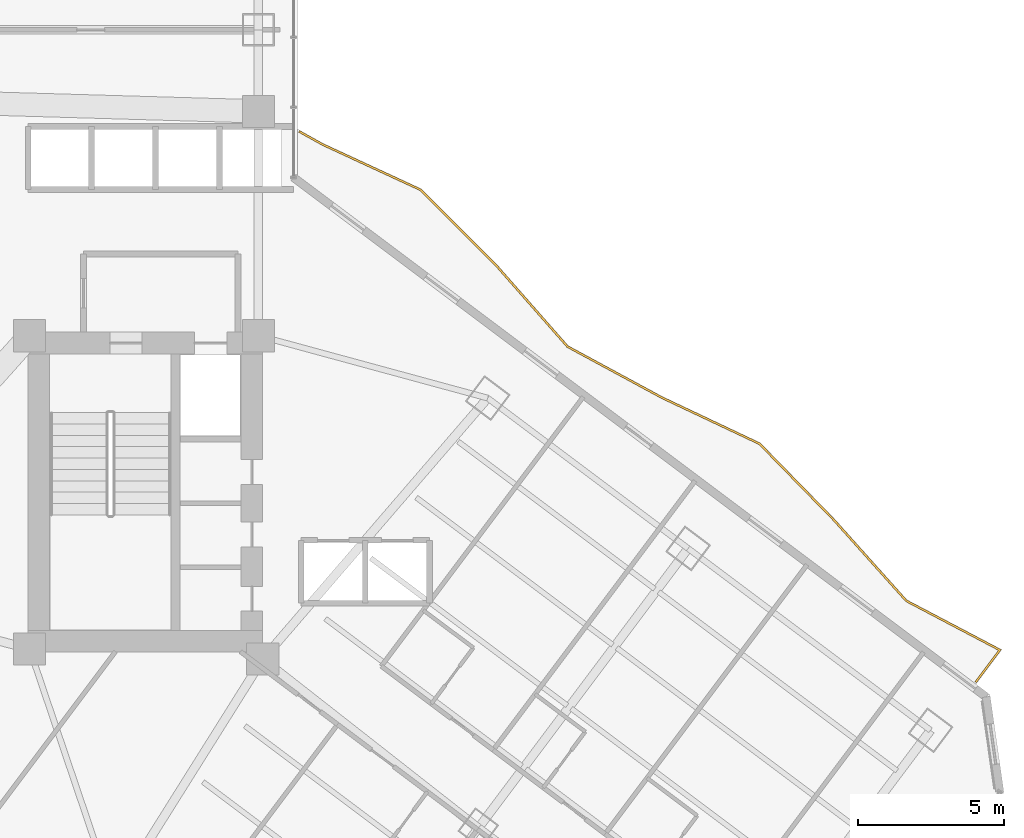
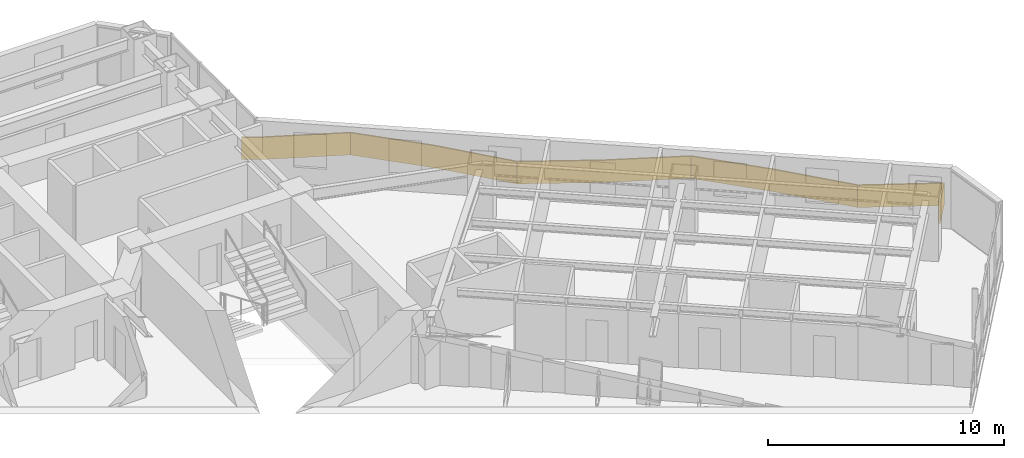
# One storey, part 34 of 37: 1 railing.
"""IFC4 building model written with IfcOpenShell, lengths in metres."""

from ifc_helpers import new_model, si_unit, direction, frame, origin, place, context, subcontext, project, spatial, polyline, outline, extrude, material, layer, layer_set, type_object, element, save


model = new_model("IFC4")

# Units and contexts
model_context = context("Model", 3, precision=1e-05, world=origin(), true_north=direction((0.0, 1.0)))
body_context = subcontext(model_context, "Body", "Model", "MODEL_VIEW")
ifc_project = project(units=[si_unit("LENGTHUNIT", "METRE"), si_unit("AREAUNIT", "SQUARE_METRE"), si_unit("VOLUMEUNIT", "CUBIC_METRE"), si_unit("PLANEANGLEUNIT", "RADIAN"), si_unit("MASSUNIT", "GRAM", prefix="KILO")], contexts=[model_context])

# Site, building, storey
site_placement = place(None, origin())
site = spatial("IfcSite", under=ifc_project, at=site_placement, CompositionType="ELEMENT")
building_placement = place(site_placement, origin())
building = spatial("IfcBuilding", under=site, at=building_placement, Name="Hatsunagi Terrace Concourse", CompositionType="ELEMENT")
storey_placement = place(building_placement, frame((0.0, 0.0, 50.0)))
storey = spatial("IfcBuildingStorey", under=building, at=storey_placement, Name="L12", CompositionType="ELEMENT", Elevation=50.0)

# Railing
ifc_material = material(Name="Laminated Glass and Stainless Steel Guard", Category="steel")
ifc_layer = layer(ifc_material, 0.070068359375)
ifc_layer_set = layer_set([ifc_layer], Name="BalconyGlassGuardRail_1150")
railing_type = type_object("IfcRailingType", Name="BalconyGlassGuardRail_1150", PredefinedType="BALUSTRADE", material=ifc_layer_set)
railing_placement = place(storey_placement, origin())
element("IfcRailing", 1, at=railing_placement, inside=storey, type_object=railing_type, Name="Engawa Balcony Guard GRD-01 L12-BSE-1", PredefinedType="BALUSTRADE", context=body_context, shape_type="SweptSolid", body=[
    extrude(outline(polyline([(45.06298828125, 42.344482421875), (45.029052734375, 42.283447265625), (45.835205078125, 41.833740234375), (49.19677734375, 40.27880859375), (51.779541015625, 37.697021484375), (54.23779296875, 34.899169921875), (57.484130859375, 33.143798828125), (60.826416015625, 31.56494140625), (63.38232421875, 28.947021484375), (65.863037109375, 26.175048828125), (69.04541015625, 24.501220703125), (68.241943359375, 23.430908203125), (68.298095703125, 23.388916015625), (69.150634765625, 24.52490234375), (65.906982421875, 26.23095703125), (63.43359375, 28.994873046875), (60.86767578125, 31.623046875), (57.515869140625, 33.206298828125), (54.2822265625, 34.954833984375), (51.83056640625, 37.7451171875), (49.2373046875, 40.337158203125), (45.866943359375, 41.896240234375), (45.06298828125, 42.344482421875)])), origin(), (0.0, 0.0, 1.0), 1.14990234375),
])

save(model, "model.ifc")
